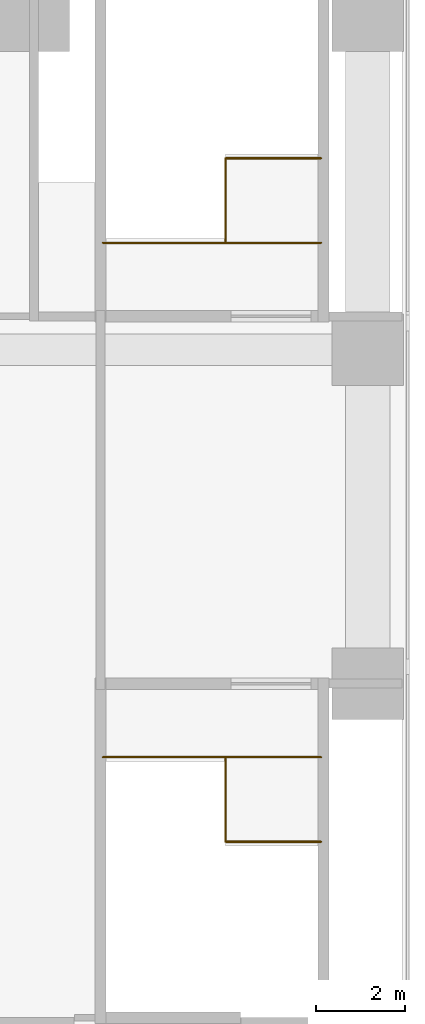
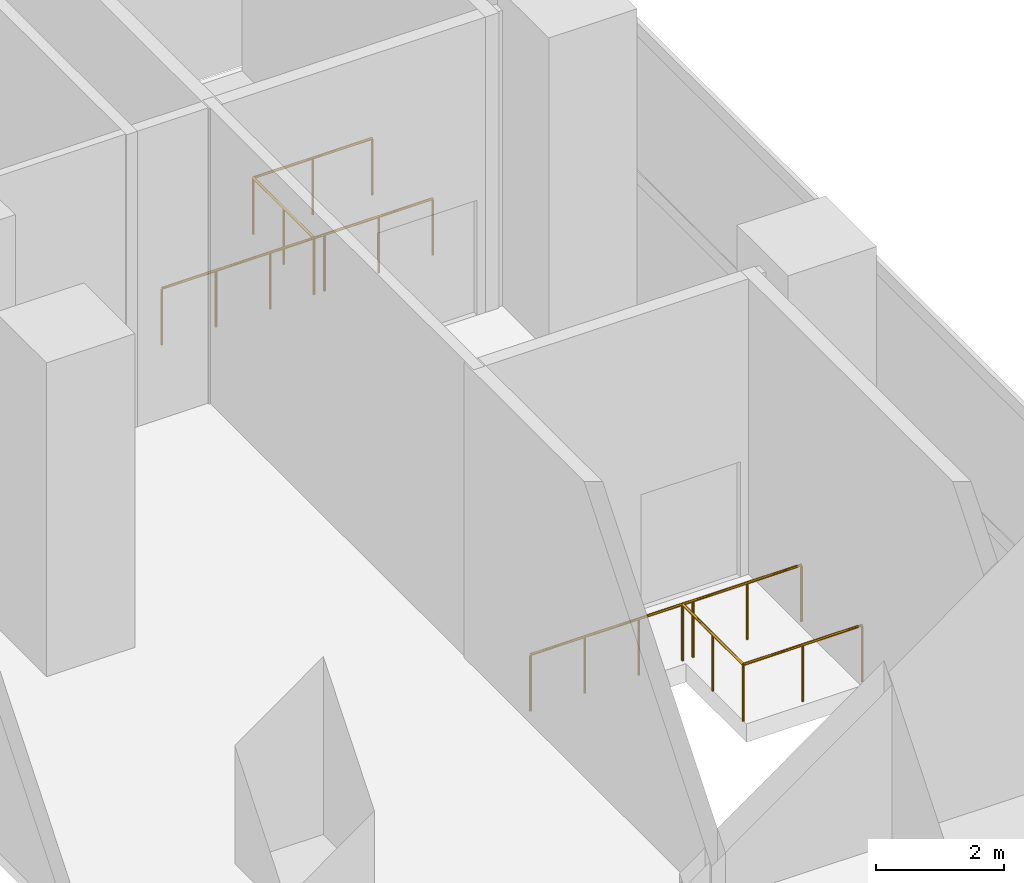
# One storey, part 14 of 14: 6 railings.
"""IFC4 building model written with IfcOpenShell, lengths in metres."""

from ifc_helpers import new_model, si_unit, direction, frame, origin, origin_2d, place, context, subcontext, project, spatial, circle, extrude, material, type_object, element, save


model = new_model("IFC4")

# Units and contexts
model_context = context("Model", 3, precision=1e-05, world=origin(), true_north=direction((0.0, 1.0)))
body_context = subcontext(model_context, "Body", "Model", "MODEL_VIEW")
ifc_project = project(units=[si_unit("LENGTHUNIT", "METRE"), si_unit("AREAUNIT", "SQUARE_METRE"), si_unit("VOLUMEUNIT", "CUBIC_METRE"), si_unit("PLANEANGLEUNIT", "RADIAN"), si_unit("MASSUNIT", "GRAM", prefix="KILO")], contexts=[model_context])

# Site, building, storey
site_placement = place(None, origin())
site = spatial("IfcSite", under=ifc_project, at=site_placement, CompositionType="ELEMENT")
building_placement = place(site_placement, origin())
building = spatial("IfcBuilding", under=site, at=building_placement, Name="Pilkhan Gate Tower", CompositionType="ELEMENT")
storey_placement = place(building_placement, frame((0.0, 0.0, 24.0)))
storey = spatial("IfcBuildingStorey", under=building, at=storey_placement, Name="L03", CompositionType="ELEMENT", Elevation=24.0)

# Railings
ifc_material = material(Name="Black powder-coated steel balusters", Category="steel")
railing_type = type_object("IfcRailingType", Name="Stair well guard G3", PredefinedType="GUARDRAIL", material=ifc_material)
railing_1_placement = place(storey_placement, frame((106.550048828125, 88.64990234375, 0.0)))
element("IfcRailing", 1, at=railing_1_placement, inside=storey, type_object=railing_type, Name="Stair PS2 well guard L03", PredefinedType="GUARDRAIL", context=body_context, shape_type="SweptSolid", body=[
    extrude(circle(Radius=0.02392578125, at=origin_2d()), frame((0.0, 0.0, 1.076171875), z_axis=(1.0, 0.0, 0.0), x_axis=(0.0, 1.0, 0.0)), (0.0, 0.0, 1.0), 4.89990234375),
    extrude(circle(Radius=0.02099609375, at=origin_2d()), origin(), (0.0, 0.0, 1.0), 1.052001953125),
    extrude(circle(Radius=0.02099609375, at=origin_2d()), frame((0.97998046875, 0.0, 0.0)), (0.0, 0.0, 1.0), 1.052001953125),
    extrude(circle(Radius=0.02099609375, at=origin_2d()), frame((1.9599609375, 0.0, 0.0)), (0.0, 0.0, 1.0), 1.052001953125),
    extrude(circle(Radius=0.02099609375, at=origin_2d()), frame((2.93994140625, 0.0, 0.0)), (0.0, 0.0, 1.0), 1.052001953125),
    extrude(circle(Radius=0.02099609375, at=origin_2d()), frame((3.919921875, 0.0, 0.0)), (0.0, 0.0, 1.0), 1.052001953125),
    extrude(circle(Radius=0.02099609375, at=origin_2d()), frame((4.89990234375, 0.0, 0.0)), (0.0, 0.0, 1.0), 1.052001953125),
])
railing_2_placement = place(storey_placement, frame((111.449951171875, 90.550048828125, 0.0)))
element("IfcRailing", 2, at=railing_2_placement, inside=storey, type_object=railing_type, Name="Stair PS2 well guard L03", PredefinedType="GUARDRAIL", context=body_context, shape_type="SweptSolid", body=[
    extrude(circle(Radius=0.02392578125, at=origin_2d()), frame((0.0, 0.0, 1.076171875), z_axis=(-1.0, 0.0, 0.0), x_axis=(0.0, -1.0, 0.0)), (0.0, 0.0, 1.0), 2.14990234375),
    extrude(circle(Radius=0.02099609375, at=origin_2d()), origin(), (0.0, 0.0, 1.0), 1.052001953125),
    extrude(circle(Radius=0.02099609375, at=origin_2d()), frame((-1.074951171875, 0.0, 0.0)), (0.0, 0.0, 1.0), 1.052001953125),
    extrude(circle(Radius=0.02099609375, at=origin_2d()), frame((-2.14990234375, 0.0, 0.0)), (0.0, 0.0, 1.0), 1.052001953125),
])
railing_3_placement = place(storey_placement, frame((109.300048828125, 90.550048828125, 0.0)))
element("IfcRailing", 3, at=railing_3_placement, inside=storey, type_object=railing_type, Name="Stair PS2 well guard L03", PredefinedType="GUARDRAIL", context=body_context, shape_type="SweptSolid", body=[
    extrude(circle(Radius=0.02392578125, at=origin_2d()), frame((0.0, 0.0, 1.076171875), z_axis=(0.0, -1.0, 0.0), x_axis=(1.0, 0.0, 0.0)), (0.0, 0.0, 1.0), 1.900146484375),
    extrude(circle(Radius=0.02099609375, at=origin_2d()), origin(), (0.0, 0.0, 1.0), 1.052001953125),
    extrude(circle(Radius=0.02099609375, at=origin_2d()), frame((0.0, -0.9501953125, 0.0)), (0.0, 0.0, 1.0), 1.052001953125),
    extrude(circle(Radius=0.02099609375, at=origin_2d()), frame((0.0, -1.900146484375, 0.0)), (0.0, 0.0, 1.0), 1.052001953125),
])
railing_4_placement = place(storey_placement, frame((106.550048828125, 77.10009765625, 0.0)))
element("IfcRailing", 4, at=railing_4_placement, inside=storey, type_object=railing_type, Name="Stair PS4 well guard L03", PredefinedType="GUARDRAIL", context=body_context, shape_type="SweptSolid", body=[
    extrude(circle(Radius=0.02392578125, at=origin_2d()), frame((0.0, 0.0, 1.076171875), z_axis=(1.0, 0.0, 0.0), x_axis=(0.0, 1.0, 0.0)), (0.0, 0.0, 1.0), 4.89990234375),
    extrude(circle(Radius=0.02099609375, at=origin_2d()), origin(), (0.0, 0.0, 1.0), 1.052001953125),
    extrude(circle(Radius=0.02099609375, at=origin_2d()), frame((0.97998046875, 0.0, 0.0)), (0.0, 0.0, 1.0), 1.052001953125),
    extrude(circle(Radius=0.02099609375, at=origin_2d()), frame((1.9599609375, 0.0, 0.0)), (0.0, 0.0, 1.0), 1.052001953125),
    extrude(circle(Radius=0.02099609375, at=origin_2d()), frame((2.93994140625, 0.0, 0.0)), (0.0, 0.0, 1.0), 1.052001953125),
    extrude(circle(Radius=0.02099609375, at=origin_2d()), frame((3.919921875, 0.0, 0.0)), (0.0, 0.0, 1.0), 1.052001953125),
    extrude(circle(Radius=0.02099609375, at=origin_2d()), frame((4.89990234375, 0.0, 0.0)), (0.0, 0.0, 1.0), 1.052001953125),
])
railing_5_placement = place(storey_placement, frame((111.449951171875, 75.199951171875, 0.0)))
element("IfcRailing", 5, at=railing_5_placement, inside=storey, type_object=railing_type, Name="Stair PS4 well guard L03", PredefinedType="GUARDRAIL", context=body_context, shape_type="SweptSolid", body=[
    extrude(circle(Radius=0.02392578125, at=origin_2d()), frame((0.0, 0.0, 1.076171875), z_axis=(-1.0, 0.0, 0.0), x_axis=(0.0, -1.0, 0.0)), (0.0, 0.0, 1.0), 2.14990234375),
    extrude(circle(Radius=0.02099609375, at=origin_2d()), origin(), (0.0, 0.0, 1.0), 1.052001953125),
    extrude(circle(Radius=0.02099609375, at=origin_2d()), frame((-1.074951171875, 0.0, 0.0)), (0.0, 0.0, 1.0), 1.052001953125),
    extrude(circle(Radius=0.02099609375, at=origin_2d()), frame((-2.14990234375, 0.0, 0.0)), (0.0, 0.0, 1.0), 1.052001953125),
])
railing_6_placement = place(storey_placement, frame((109.300048828125, 75.199951171875, 0.0)))
element("IfcRailing", 6, at=railing_6_placement, inside=storey, type_object=railing_type, Name="Stair PS4 well guard L03", PredefinedType="GUARDRAIL", context=body_context, shape_type="SweptSolid", body=[
    extrude(circle(Radius=0.02392578125, at=origin_2d()), frame((0.0, 0.0, 1.076171875), z_axis=(0.0, 1.0, 0.0), x_axis=(-1.0, 0.0, 0.0)), (0.0, 0.0, 1.0), 1.900146484375),
    extrude(circle(Radius=0.02099609375, at=origin_2d()), origin(), (0.0, 0.0, 1.0), 1.052001953125),
    extrude(circle(Radius=0.02099609375, at=origin_2d()), frame((0.0, 0.9501953125, 0.0)), (0.0, 0.0, 1.0), 1.052001953125),
    extrude(circle(Radius=0.02099609375, at=origin_2d()), frame((0.0, 1.900146484375, 0.0)), (0.0, 0.0, 1.0), 1.052001953125),
])

save(model, "model.ifc")
